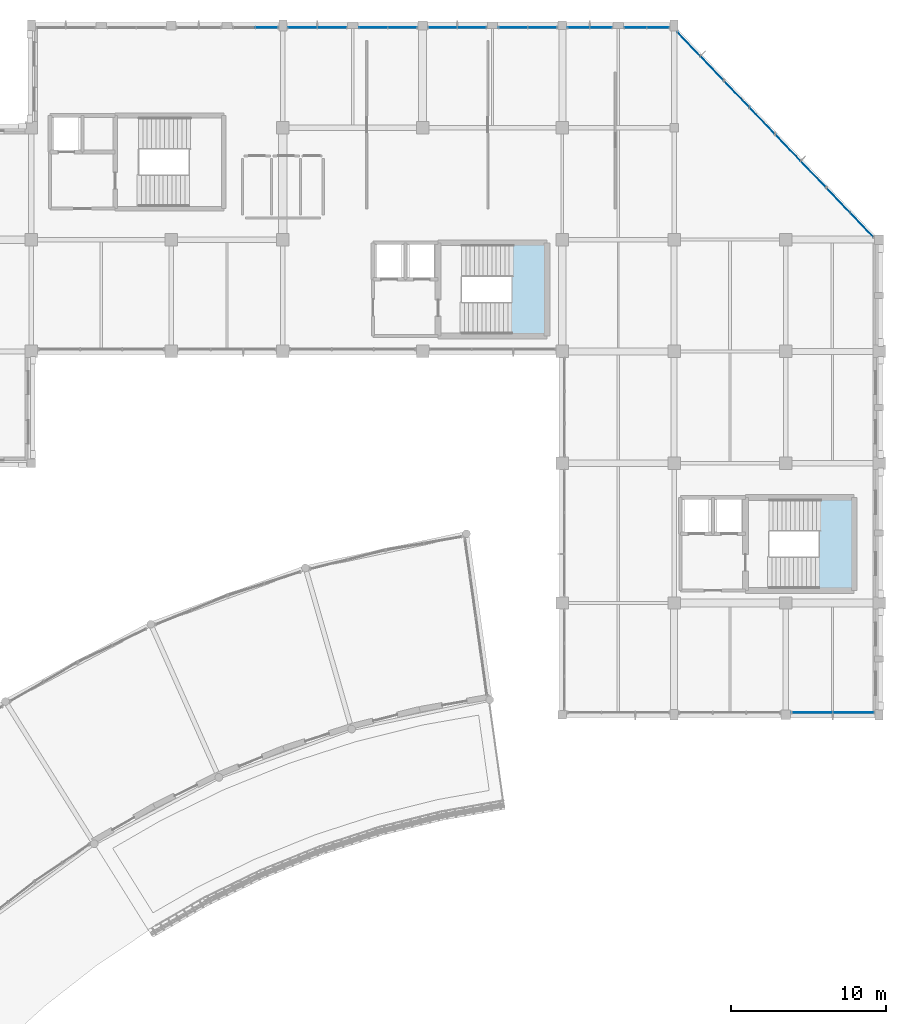
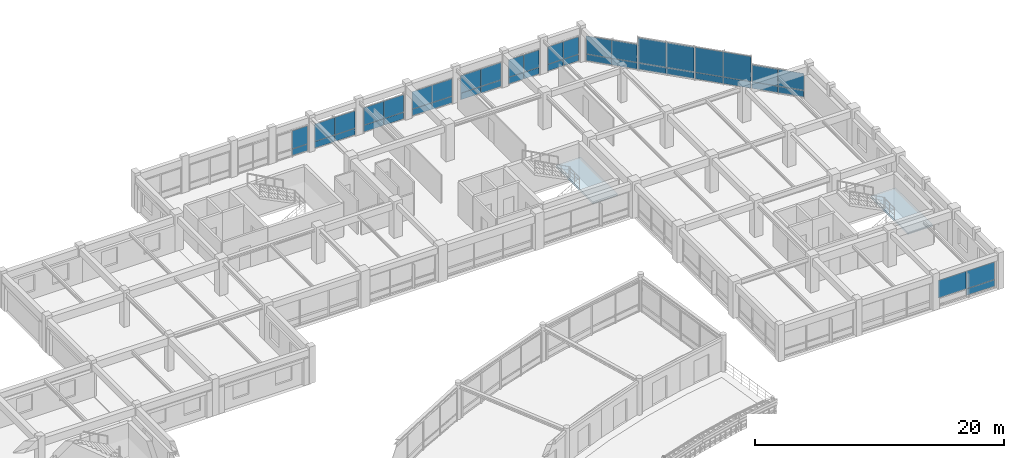
# One storey, part 48 of 74: 45 plates, 2 slabs, 14 elements without a shape of their own.
"""IFC4 building model written with IfcOpenShell, lengths in metres."""

from ifc_helpers import new_model, si_unit, direction, frame, frame_2d, origin, place, context, subcontext, project, spatial, polyline, rectangle, outline, extrude, material, layer, layer_set, type_object, element, aggregate, save


model = new_model("IFC4")

# Units and contexts
model_context = context("Model", 3, precision=1e-05, world=origin(), true_north=direction((0.0, 1.0)))
body_context = subcontext(model_context, "Body", "Model", "MODEL_VIEW")
ifc_project = project(units=[si_unit("LENGTHUNIT", "METRE"), si_unit("AREAUNIT", "SQUARE_METRE"), si_unit("VOLUMEUNIT", "CUBIC_METRE"), si_unit("PLANEANGLEUNIT", "RADIAN"), si_unit("MASSUNIT", "GRAM", prefix="KILO")], contexts=[model_context])

# Site, building, storey
site_placement = place(None, origin())
site = spatial("IfcSite", under=ifc_project, at=site_placement, CompositionType="ELEMENT")
building_placement = place(site_placement, origin())
building = spatial("IfcBuilding", under=site, at=building_placement, Name="Clarverna Civic Hall", CompositionType="ELEMENT")
storey_placement = place(building_placement, frame((0.0, 0.0, 9.60009765625)))
storey = spatial("IfcBuildingStorey", under=building, at=storey_placement, Name="L02", CompositionType="ELEMENT", Elevation=9.60009765625)

# Curtain wall, plate
ifc_material_1 = material(Name="Anodised Bronze Architectural Aluminium", Category="aluminium")
curtain_wall_type = type_object("IfcCurtainWallType", Name="CW-01", PredefinedType="USERDEFINED", material=ifc_material_1)
curtain_wall_1_placement = place(storey_placement, origin())
curtain_wall_1 = element("IfcCurtainWall", 1, at=curtain_wall_1_placement, inside=storey, type_object=curtain_wall_type, Name="CW-01-033", ObjectType="UNITISED CURTAIN WALL", PredefinedType="USERDEFINED")
ifc_material_2 = material(Name="Solar-Control Argon Low-E Double Glazing", Category="glass")
ifc_layer_1 = layer(ifc_material_2, 0.031982421875)
ifc_layer_set_1 = layer_set([ifc_layer_1], Name="Solar-Control Argon Low-E Double Glazing")
plate_type_1 = type_object("IfcPlateType", Name="CWP-01", PredefinedType="CURTAIN_PANEL", material=ifc_layer_set_1)
plate_1_placement = place(storey_placement, frame((127.8525390625, 115.860107421875, 0.764892578125), z_axis=(0.0, 0.0, 1.0), x_axis=(1.0, 0.0, 0.0)))
plate_1 = element("IfcPlate", 2, at=plate_1_placement, type_object=plate_type_1, Name="CWP-01-251", PredefinedType="CURTAIN_PANEL", context=body_context, shape_type="SweptSolid", body=[
    extrude(rectangle(XDim=1.409423828125, YDim=0.031982421875, at=frame_2d((0.70458984375, 0.0))), origin(), (0.0, 0.0, 1.0), 1.764892578125),
])

# Curtain wall, plates
curtain_wall_2_placement = place(storey_placement, origin())
curtain_wall_2 = element("IfcCurtainWall", 3, at=curtain_wall_2_placement, inside=storey, type_object=curtain_wall_type, Name="CW-01-034", ObjectType="UNITISED CURTAIN WALL", PredefinedType="USERDEFINED")
plate_2_placement = place(storey_placement, frame((129.93798828125, 115.860107421875, 0.764892578125), z_axis=(0.0, 0.0, 1.0), x_axis=(1.0, 0.0, 0.0)))
plate_2 = element("IfcPlate", 4, at=plate_2_placement, type_object=plate_type_1, Name="CWP-01-252", PredefinedType="CURTAIN_PANEL", context=body_context, shape_type="SweptSolid", body=[
    extrude(rectangle(XDim=1.859619140625, YDim=0.031982421875, at=frame_2d((0.9296875, 0.0))), origin(), (0.0, 0.0, 1.0), 1.695068359375),
])
plate_3_placement = place(storey_placement, frame((131.827392578125, 115.860107421875, 0.764892578125), z_axis=(0.0, 0.0, 1.0), x_axis=(1.0, 0.0, 0.0)))
plate_3 = element("IfcPlate", 5, at=plate_3_placement, type_object=plate_type_1, Name="CWP-01-253", PredefinedType="CURTAIN_PANEL", context=body_context, shape_type="SweptSolid", body=[
    extrude(rectangle(XDim=1.859619140625, YDim=0.031982421875, at=frame_2d((0.9296875, 0.0))), origin(), (0.0, 0.0, 1.0), 1.695068359375),
])

curtain_wall_3_placement = place(storey_placement, origin())
curtain_wall_3 = element("IfcCurtainWall", 6, at=curtain_wall_3_placement, inside=storey, type_object=curtain_wall_type, Name="CW-01-035", ObjectType="UNITISED CURTAIN WALL", PredefinedType="USERDEFINED")
plate_4_placement = place(storey_placement, frame((134.512939453125, 115.860107421875, 0.764892578125), z_axis=(0.0, 0.0, 1.0), x_axis=(1.0, 0.0, 0.0)))
plate_4 = element("IfcPlate", 7, at=plate_4_placement, type_object=plate_type_1, Name="CWP-01-254", PredefinedType="CURTAIN_PANEL", context=body_context, shape_type="SweptSolid", body=[
    extrude(rectangle(XDim=1.83447265625, YDim=0.031982421875, at=frame_2d((0.917236328125, 0.0))), origin(), (0.0, 0.0, 1.0), 1.695068359375),
])
plate_5_placement = place(storey_placement, frame((136.37744140625, 115.860107421875, 0.764892578125), z_axis=(0.0, 0.0, 1.0), x_axis=(1.0, 0.0, 0.0)))
plate_5 = element("IfcPlate", 8, at=plate_5_placement, type_object=plate_type_1, Name="CWP-01-255", PredefinedType="CURTAIN_PANEL", context=body_context, shape_type="SweptSolid", body=[
    extrude(rectangle(XDim=1.83447265625, YDim=0.031982421875, at=frame_2d((0.917236328125, 0.0))), origin(), (0.0, 0.0, 1.0), 1.695068359375),
])

curtain_wall_4_placement = place(storey_placement, origin())
curtain_wall_4 = element("IfcCurtainWall", 9, at=curtain_wall_4_placement, inside=storey, type_object=curtain_wall_type, Name="CW-01-036", ObjectType="UNITISED CURTAIN WALL", PredefinedType="USERDEFINED")
plate_6_placement = place(storey_placement, frame((138.988037109375, 115.860107421875, 0.764892578125), z_axis=(0.0, 0.0, 1.0), x_axis=(1.0, 0.0, 0.0)))
plate_6 = element("IfcPlate", 10, at=plate_6_placement, type_object=plate_type_1, Name="CWP-01-256", PredefinedType="CURTAIN_PANEL", context=body_context, shape_type="SweptSolid", body=[
    extrude(rectangle(XDim=1.83447265625, YDim=0.031982421875, at=frame_2d((0.917236328125, 0.0))), origin(), (0.0, 0.0, 1.0), 1.695068359375),
])
plate_7_placement = place(storey_placement, frame((140.8525390625, 115.860107421875, 0.764892578125), z_axis=(0.0, 0.0, 1.0), x_axis=(1.0, 0.0, 0.0)))
plate_7 = element("IfcPlate", 11, at=plate_7_placement, type_object=plate_type_1, Name="CWP-01-257", PredefinedType="CURTAIN_PANEL", context=body_context, shape_type="SweptSolid", body=[
    extrude(rectangle(XDim=1.83447265625, YDim=0.031982421875, at=frame_2d((0.917236328125, 0.0))), origin(), (0.0, 0.0, 1.0), 1.695068359375),
])

curtain_wall_5_placement = place(storey_placement, origin())
curtain_wall_5 = element("IfcCurtainWall", 12, at=curtain_wall_5_placement, inside=storey, type_object=curtain_wall_type, Name="CW-01-037", ObjectType="UNITISED CURTAIN WALL", PredefinedType="USERDEFINED")
plate_8_placement = place(storey_placement, frame((143.512939453125, 115.860107421875, 0.764892578125), z_axis=(0.0, 0.0, 1.0), x_axis=(1.0, 0.0, 0.0)))
plate_8 = element("IfcPlate", 13, at=plate_8_placement, type_object=plate_type_1, Name="CWP-01-258", PredefinedType="CURTAIN_PANEL", context=body_context, shape_type="SweptSolid", body=[
    extrude(rectangle(XDim=1.84716796875, YDim=0.031982421875, at=frame_2d((0.923583984375, 0.0))), origin(), (0.0, 0.0, 1.0), 1.695068359375),
])
plate_9_placement = place(storey_placement, frame((145.389892578125, 115.860107421875, 0.764892578125), z_axis=(0.0, 0.0, 1.0), x_axis=(1.0, 0.0, 0.0)))
plate_9 = element("IfcPlate", 14, at=plate_9_placement, type_object=plate_type_1, Name="CWP-01-259", PredefinedType="CURTAIN_PANEL", context=body_context, shape_type="SweptSolid", body=[
    extrude(rectangle(XDim=1.84716796875, YDim=0.031982421875, at=frame_2d((0.923583984375, 0.0))), origin(), (0.0, 0.0, 1.0), 1.695068359375),
])

curtain_wall_6_placement = place(storey_placement, origin())
curtain_wall_6 = element("IfcCurtainWall", 15, at=curtain_wall_6_placement, inside=storey, type_object=curtain_wall_type, Name="CW-01-038", ObjectType="UNITISED CURTAIN WALL", PredefinedType="USERDEFINED")
plate_10_placement = place(storey_placement, frame((147.962890625, 115.860107421875, 0.764892578125), z_axis=(0.0, 0.0, 1.0), x_axis=(1.0, 0.0, 0.0)))
plate_10 = element("IfcPlate", 16, at=plate_10_placement, type_object=plate_type_1, Name="CWP-01-260", PredefinedType="CURTAIN_PANEL", context=body_context, shape_type="SweptSolid", body=[
    extrude(rectangle(XDim=1.397216796875, YDim=0.031982421875, at=frame_2d((0.69873046875, 0.0))), origin(), (0.0, 0.0, 1.0), 1.695068359375),
])
plate_11_placement = place(storey_placement, frame((149.389892578125, 115.860107421875, 0.764892578125), z_axis=(0.0, 0.0, 1.0), x_axis=(1.0, 0.0, 0.0)))
plate_11 = element("IfcPlate", 17, at=plate_11_placement, type_object=plate_type_1, Name="CWP-01-261", PredefinedType="CURTAIN_PANEL", context=body_context, shape_type="SweptSolid", body=[
    extrude(rectangle(XDim=1.397216796875, YDim=0.031982421875, at=frame_2d((0.69873046875, 0.0))), origin(), (0.0, 0.0, 1.0), 1.695068359375),
])

curtain_wall_7_placement = place(storey_placement, origin())
curtain_wall_7 = element("IfcCurtainWall", 18, at=curtain_wall_7_placement, inside=storey, type_object=curtain_wall_type, Name="CW-01-039", ObjectType="UNITISED CURTAIN WALL", PredefinedType="USERDEFINED")
plate_12_placement = place(storey_placement, frame((151.613037109375, 115.860107421875, 0.764892578125), z_axis=(0.0, 0.0, 1.0), x_axis=(1.0, 0.0, 0.0)))
plate_12 = element("IfcPlate", 19, at=plate_12_placement, type_object=plate_type_1, Name="CWP-01-262", PredefinedType="CURTAIN_PANEL", context=body_context, shape_type="SweptSolid", body=[
    extrude(rectangle(XDim=1.409423828125, YDim=0.031982421875, at=frame_2d((0.70458984375, 0.0))), origin(), (0.0, 0.0, 1.0), 1.695068359375),
])
plate_13_placement = place(storey_placement, frame((153.052490234375, 115.860107421875, 0.764892578125), z_axis=(0.0, 0.0, 1.0), x_axis=(1.0, 0.0, 0.0)))
plate_13 = element("IfcPlate", 20, at=plate_13_placement, type_object=plate_type_1, Name="CWP-01-263", PredefinedType="CURTAIN_PANEL", context=body_context, shape_type="SweptSolid", body=[
    extrude(rectangle(XDim=1.409423828125, YDim=0.031982421875, at=frame_2d((0.70458984375, 0.0))), origin(), (0.0, 0.0, 1.0), 1.695068359375),
])

curtain_wall_8_placement = place(storey_placement, origin())
curtain_wall_8 = element("IfcCurtainWall", 21, at=curtain_wall_8_placement, inside=storey, type_object=curtain_wall_type, Name="CW-01-040", ObjectType="UNITISED CURTAIN WALL", PredefinedType="USERDEFINED")
plate_14_placement = place(storey_placement, frame((155.012451171875, 115.575439453125, 0.764892578125), z_axis=(0.0, 0.0, 1.0), x_axis=(0.691222645967, -0.722641857148, 0.0)))
plate_14 = element("IfcPlate", 22, at=plate_14_placement, type_object=plate_type_1, Name="CWP-01-264", PredefinedType="CURTAIN_PANEL", context=body_context, shape_type="SweptSolid", body=[
    extrude(rectangle(XDim=2.121337890625, YDim=0.031982421875, at=frame_2d((1.060546875, 0.0))), origin(), (0.0, 0.0, 1.0), 1.764892578125),
])
plate_15_placement = place(storey_placement, frame((156.49951171875, 114.020751953125, 0.764892578125), z_axis=(0.0, 0.0, 1.0), x_axis=(0.691162538188, -0.722699346758, 0.0)))
plate_15 = element("IfcPlate", 23, at=plate_15_placement, type_object=plate_type_1, Name="CWP-01-265", PredefinedType="CURTAIN_PANEL", context=body_context, shape_type="SweptSolid", body=[
    extrude(rectangle(XDim=2.12109375, YDim=0.031982421875, at=frame_2d((1.060546875, 0.0))), origin(), (0.0, 0.0, 1.0), 1.764892578125),
])

curtain_wall_9_placement = place(storey_placement, origin())
curtain_wall_9 = element("IfcCurtainWall", 24, at=curtain_wall_9_placement, inside=storey, type_object=curtain_wall_type, Name="CW-01-041", ObjectType="UNITISED CURTAIN WALL", PredefinedType="USERDEFINED")
plate_16_placement = place(storey_placement, frame((158.031982421875, 112.418701171875, 0.764892578125), z_axis=(0.0, 0.0, 1.0), x_axis=(0.691174945329, -0.722687480831, 0.0)))
plate_16 = element("IfcPlate", 25, at=plate_16_placement, type_object=plate_type_1, Name="CWP-01-266", PredefinedType="CURTAIN_PANEL", context=body_context, shape_type="SweptSolid", body=[
    extrude(rectangle(XDim=2.32421875, YDim=0.031982421875, at=frame_2d((1.162109375, 0.0))), origin(), (0.0, 0.0, 1.0), 2.445068359375),
])
plate_17_placement = place(storey_placement, frame((159.6591796875, 110.71728515625, 0.764892578125), z_axis=(0.0, 0.0, 1.0), x_axis=(0.691227416228, -0.72263729426, 0.0)))
plate_17 = element("IfcPlate", 26, at=plate_17_placement, type_object=plate_type_1, Name="CWP-01-267", PredefinedType="CURTAIN_PANEL", context=body_context, shape_type="SweptSolid", body=[
    extrude(rectangle(XDim=2.323974609375, YDim=0.031982421875, at=frame_2d((1.162109375, 0.0))), origin(), (0.0, 0.0, 1.0), 2.445068359375),
])

curtain_wall_10_placement = place(storey_placement, origin())
curtain_wall_10 = element("IfcCurtainWall", 27, at=curtain_wall_10_placement, inside=storey, type_object=curtain_wall_type, Name="CW-01-042", ObjectType="UNITISED CURTAIN WALL", PredefinedType="USERDEFINED")
plate_18_placement = place(storey_placement, frame((161.33203125, 108.968505859375, 0.764892578125), z_axis=(0.0, 0.0, 1.0), x_axis=(0.691227416228, -0.72263729426, 0.0)))
plate_18 = element("IfcPlate", 28, at=plate_18_placement, type_object=plate_type_1, Name="CWP-01-268", PredefinedType="CURTAIN_PANEL", context=body_context, shape_type="SweptSolid", body=[
    extrude(rectangle(XDim=2.323974609375, YDim=0.031982421875, at=frame_2d((1.162109375, 0.0))), origin(), (0.0, 0.0, 1.0), 2.445068359375),
])
plate_19_placement = place(storey_placement, frame((162.959228515625, 107.267333984375, 0.764892578125), z_axis=(0.0, 0.0, 1.0), x_axis=(0.691227416228, -0.72263729426, 0.0)))
plate_19 = element("IfcPlate", 29, at=plate_19_placement, type_object=plate_type_1, Name="CWP-01-269", PredefinedType="CURTAIN_PANEL", context=body_context, shape_type="SweptSolid", body=[
    extrude(rectangle(XDim=2.323974609375, YDim=0.031982421875, at=frame_2d((1.162109375, 0.0))), origin(), (0.0, 0.0, 1.0), 2.445068359375),
])

curtain_wall_11_placement = place(storey_placement, origin())
curtain_wall_11 = element("IfcCurtainWall", 30, at=curtain_wall_11_placement, inside=storey, type_object=curtain_wall_type, Name="CW-01-043", ObjectType="UNITISED CURTAIN WALL", PredefinedType="USERDEFINED")
plate_20_placement = place(storey_placement, frame((164.632080078125, 105.5185546875, 0.764892578125), z_axis=(0.0, 0.0, 1.0), x_axis=(0.691155646776, -0.722705937384, 0.0)))
plate_20 = element("IfcPlate", 31, at=plate_20_placement, type_object=plate_type_1, Name="CWP-01-270", PredefinedType="CURTAIN_PANEL", context=body_context, shape_type="SweptSolid", body=[
    extrude(rectangle(XDim=2.151123046875, YDim=0.031982421875, at=frame_2d((1.07568359375, 0.0))), origin(), (0.0, 0.0, 1.0), 1.64501953125),
])
plate_21_placement = place(storey_placement, frame((166.139892578125, 103.942138671875, 0.764892578125), z_axis=(0.0, 0.0, 1.0), x_axis=(0.691155646776, -0.722705937384, 0.0)))
plate_21 = element("IfcPlate", 32, at=plate_21_placement, type_object=plate_type_1, Name="CWP-01-271", PredefinedType="CURTAIN_PANEL", context=body_context, shape_type="SweptSolid", body=[
    extrude(rectangle(XDim=2.151123046875, YDim=0.031982421875, at=frame_2d((1.07568359375, 0.0))), origin(), (0.0, 0.0, 1.0), 1.64501953125),
])

curtain_wall_12_placement = place(storey_placement, origin())
curtain_wall_12 = element("IfcCurtainWall", 33, at=curtain_wall_12_placement, inside=storey, type_object=curtain_wall_type, Name="CW-01-044", ObjectType="UNITISED CURTAIN WALL", PredefinedType="USERDEFINED")
plate_22_placement = place(storey_placement, frame((167.662109375, 71.739990234375, 0.764892578125), z_axis=(0.0, 0.0, 1.0), x_axis=(-1.0, 0.0, 0.0)))
plate_22 = element("IfcPlate", 34, at=plate_22_placement, type_object=plate_type_1, Name="CWP-01-272", PredefinedType="CURTAIN_PANEL", context=body_context, shape_type="SweptSolid", body=[
    extrude(rectangle(XDim=2.6220703125, YDim=0.031982421875, at=frame_2d((1.31103515625, 0.0))), origin(), (0.0, 0.0, 1.0), 1.72509765625),
])
plate_23_placement = place(storey_placement, frame((165.010009765625, 71.739990234375, 0.764892578125), z_axis=(0.0, 0.0, 1.0), x_axis=(-1.0, 0.0, 0.0)))
plate_23 = element("IfcPlate", 35, at=plate_23_placement, type_object=plate_type_1, Name="CWP-01-273", PredefinedType="CURTAIN_PANEL", context=body_context, shape_type="SweptSolid", body=[
    extrude(rectangle(XDim=2.6220703125, YDim=0.031982421875, at=frame_2d((1.31103515625, 0.0))), origin(), (0.0, 0.0, 1.0), 1.72509765625),
])

# Plate
ifc_material_3 = material(Name="Insulated Anodised Bronze Spandrel Panel", Category="aluminium")
ifc_layer_2 = layer(ifc_material_3, 0.048095703125)
ifc_layer_set_2 = layer_set([ifc_layer_2], Name="Insulated Anodised Bronze Spandrel Panel")
plate_type_2 = type_object("IfcPlateType", Name="CWP-03", PredefinedType="CURTAIN_PANEL", material=ifc_layer_set_2)
plate_24_placement = place(storey_placement, frame((127.8525390625, 115.860107421875, 0.10986328125), z_axis=(0.0, 0.0, 1.0), x_axis=(1.0, 0.0, 0.0)))
plate_24 = element("IfcPlate", 36, at=plate_24_placement, type_object=plate_type_2, Name="CWP-03-253", PredefinedType="CURTAIN_PANEL", context=body_context, shape_type="SweptSolid", body=[
    extrude(rectangle(XDim=1.409423828125, YDim=0.048095703125, at=frame_2d((0.70458984375, 0.0))), origin(), (0.0, 0.0, 1.0), 0.625),
])

aggregate(curtain_wall_1, [plate_24, plate_1])

plate_25_placement = place(storey_placement, frame((129.93798828125, 115.860107421875, 0.10986328125), z_axis=(0.0, 0.0, 1.0), x_axis=(1.0, 0.0, 0.0)))
plate_25 = element("IfcPlate", 37, at=plate_25_placement, type_object=plate_type_2, Name="CWP-03-254", PredefinedType="CURTAIN_PANEL", context=body_context, shape_type="SweptSolid", body=[
    extrude(rectangle(XDim=1.859619140625, YDim=0.048095703125, at=frame_2d((0.9296875, 0.0))), origin(), (0.0, 0.0, 1.0), 0.625),
])

plate_26_placement = place(storey_placement, frame((131.827392578125, 115.860107421875, 0.10986328125), z_axis=(0.0, 0.0, 1.0), x_axis=(1.0, 0.0, 0.0)))
plate_26 = element("IfcPlate", 38, at=plate_26_placement, type_object=plate_type_2, Name="CWP-03-255", PredefinedType="CURTAIN_PANEL", context=body_context, shape_type="SweptSolid", body=[
    extrude(rectangle(XDim=1.859619140625, YDim=0.048095703125, at=frame_2d((0.9296875, 0.0))), origin(), (0.0, 0.0, 1.0), 0.625),
])

aggregate(curtain_wall_2, [plate_25, plate_2, plate_26, plate_3])

plate_27_placement = place(storey_placement, frame((134.512939453125, 115.860107421875, 0.10986328125), z_axis=(0.0, 0.0, 1.0), x_axis=(1.0, 0.0, 0.0)))
plate_27 = element("IfcPlate", 39, at=plate_27_placement, type_object=plate_type_2, Name="CWP-03-256", PredefinedType="CURTAIN_PANEL", context=body_context, shape_type="SweptSolid", body=[
    extrude(rectangle(XDim=1.83447265625, YDim=0.048095703125, at=frame_2d((0.917236328125, 0.0))), origin(), (0.0, 0.0, 1.0), 0.625),
])

plate_28_placement = place(storey_placement, frame((136.37744140625, 115.860107421875, 0.10986328125), z_axis=(0.0, 0.0, 1.0), x_axis=(1.0, 0.0, 0.0)))
plate_28 = element("IfcPlate", 40, at=plate_28_placement, type_object=plate_type_2, Name="CWP-03-257", PredefinedType="CURTAIN_PANEL", context=body_context, shape_type="SweptSolid", body=[
    extrude(rectangle(XDim=1.83447265625, YDim=0.048095703125, at=frame_2d((0.917236328125, 0.0))), origin(), (0.0, 0.0, 1.0), 0.625),
])

aggregate(curtain_wall_3, [plate_27, plate_4, plate_28, plate_5])

plate_29_placement = place(storey_placement, frame((138.988037109375, 115.860107421875, 0.10986328125), z_axis=(0.0, 0.0, 1.0), x_axis=(1.0, 0.0, 0.0)))
plate_29 = element("IfcPlate", 41, at=plate_29_placement, type_object=plate_type_2, Name="CWP-03-258", PredefinedType="CURTAIN_PANEL", context=body_context, shape_type="SweptSolid", body=[
    extrude(rectangle(XDim=1.83447265625, YDim=0.048095703125, at=frame_2d((0.917236328125, 0.0))), origin(), (0.0, 0.0, 1.0), 0.625),
])

plate_30_placement = place(storey_placement, frame((140.8525390625, 115.860107421875, 0.10986328125), z_axis=(0.0, 0.0, 1.0), x_axis=(1.0, 0.0, 0.0)))
plate_30 = element("IfcPlate", 42, at=plate_30_placement, type_object=plate_type_2, Name="CWP-03-259", PredefinedType="CURTAIN_PANEL", context=body_context, shape_type="SweptSolid", body=[
    extrude(rectangle(XDim=1.83447265625, YDim=0.048095703125, at=frame_2d((0.917236328125, 0.0))), origin(), (0.0, 0.0, 1.0), 0.625),
])

aggregate(curtain_wall_4, [plate_29, plate_6, plate_30, plate_7])

plate_31_placement = place(storey_placement, frame((143.512939453125, 115.860107421875, 0.10986328125), z_axis=(0.0, 0.0, 1.0), x_axis=(1.0, 0.0, 0.0)))
plate_31 = element("IfcPlate", 43, at=plate_31_placement, type_object=plate_type_2, Name="CWP-03-260", PredefinedType="CURTAIN_PANEL", context=body_context, shape_type="SweptSolid", body=[
    extrude(rectangle(XDim=1.84716796875, YDim=0.048095703125, at=frame_2d((0.923583984375, 0.0))), origin(), (0.0, 0.0, 1.0), 0.625),
])

plate_32_placement = place(storey_placement, frame((145.389892578125, 115.860107421875, 0.10986328125), z_axis=(0.0, 0.0, 1.0), x_axis=(1.0, 0.0, 0.0)))
plate_32 = element("IfcPlate", 44, at=plate_32_placement, type_object=plate_type_2, Name="CWP-03-261", PredefinedType="CURTAIN_PANEL", context=body_context, shape_type="SweptSolid", body=[
    extrude(rectangle(XDim=1.84716796875, YDim=0.048095703125, at=frame_2d((0.923583984375, 0.0))), origin(), (0.0, 0.0, 1.0), 0.625),
])

aggregate(curtain_wall_5, [plate_31, plate_8, plate_32, plate_9])

plate_33_placement = place(storey_placement, frame((147.962890625, 115.860107421875, 0.10986328125), z_axis=(0.0, 0.0, 1.0), x_axis=(1.0, 0.0, 0.0)))
plate_33 = element("IfcPlate", 45, at=plate_33_placement, type_object=plate_type_2, Name="CWP-03-262", PredefinedType="CURTAIN_PANEL", context=body_context, shape_type="SweptSolid", body=[
    extrude(rectangle(XDim=1.397216796875, YDim=0.048095703125, at=frame_2d((0.69873046875, 0.0))), origin(), (0.0, 0.0, 1.0), 0.625),
])

plate_34_placement = place(storey_placement, frame((149.389892578125, 115.860107421875, 0.10986328125), z_axis=(0.0, 0.0, 1.0), x_axis=(1.0, 0.0, 0.0)))
plate_34 = element("IfcPlate", 46, at=plate_34_placement, type_object=plate_type_2, Name="CWP-03-263", PredefinedType="CURTAIN_PANEL", context=body_context, shape_type="SweptSolid", body=[
    extrude(rectangle(XDim=1.397216796875, YDim=0.048095703125, at=frame_2d((0.69873046875, 0.0))), origin(), (0.0, 0.0, 1.0), 0.625),
])

aggregate(curtain_wall_6, [plate_33, plate_10, plate_34, plate_11])

plate_35_placement = place(storey_placement, frame((151.613037109375, 115.860107421875, 0.10986328125), z_axis=(0.0, 0.0, 1.0), x_axis=(1.0, 0.0, 0.0)))
plate_35 = element("IfcPlate", 47, at=plate_35_placement, type_object=plate_type_2, Name="CWP-03-264", PredefinedType="CURTAIN_PANEL", context=body_context, shape_type="SweptSolid", body=[
    extrude(rectangle(XDim=1.409423828125, YDim=0.048095703125, at=frame_2d((0.70458984375, 0.0))), origin(), (0.0, 0.0, 1.0), 0.625),
])

plate_36_placement = place(storey_placement, frame((153.052490234375, 115.860107421875, 0.10986328125), z_axis=(0.0, 0.0, 1.0), x_axis=(1.0, 0.0, 0.0)))
plate_36 = element("IfcPlate", 48, at=plate_36_placement, type_object=plate_type_2, Name="CWP-03-265", PredefinedType="CURTAIN_PANEL", context=body_context, shape_type="SweptSolid", body=[
    extrude(rectangle(XDim=1.409423828125, YDim=0.048095703125, at=frame_2d((0.70458984375, 0.0))), origin(), (0.0, 0.0, 1.0), 0.625),
])

aggregate(curtain_wall_7, [plate_35, plate_12, plate_36, plate_13])

plate_37_placement = place(storey_placement, frame((155.012451171875, 115.575439453125, 0.10986328125), z_axis=(0.0, 0.0, 1.0), x_axis=(0.691222645967, -0.722641857148, 0.0)))
plate_37 = element("IfcPlate", 49, at=plate_37_placement, type_object=plate_type_2, Name="CWP-03-266", PredefinedType="CURTAIN_PANEL", context=body_context, shape_type="SweptSolid", body=[
    extrude(rectangle(XDim=2.121337890625, YDim=0.048095703125, at=frame_2d((1.060546875, 0.0))), origin(), (0.0, 0.0, 1.0), 0.625),
])

plate_38_placement = place(storey_placement, frame((156.49951171875, 114.020751953125, 0.10986328125), z_axis=(0.0, 0.0, 1.0), x_axis=(0.691162538188, -0.722699346758, 0.0)))
plate_38 = element("IfcPlate", 50, at=plate_38_placement, type_object=plate_type_2, Name="CWP-03-267", PredefinedType="CURTAIN_PANEL", context=body_context, shape_type="SweptSolid", body=[
    extrude(rectangle(XDim=2.12109375, YDim=0.048095703125, at=frame_2d((1.060546875, 0.0))), origin(), (0.0, 0.0, 1.0), 0.625),
])

aggregate(curtain_wall_8, [plate_37, plate_14, plate_38, plate_15])

plate_39_placement = place(storey_placement, frame((158.031982421875, 112.418701171875, 0.10986328125), z_axis=(0.0, 0.0, 1.0), x_axis=(0.691174945329, -0.722687480831, 0.0)))
plate_39 = element("IfcPlate", 51, at=plate_39_placement, type_object=plate_type_2, Name="CWP-03-268", PredefinedType="CURTAIN_PANEL", context=body_context, shape_type="SweptSolid", body=[
    extrude(rectangle(XDim=2.32421875, YDim=0.048095703125, at=frame_2d((1.162109375, 0.0))), origin(), (0.0, 0.0, 1.0), 0.625),
])

plate_40_placement = place(storey_placement, frame((159.6591796875, 110.71728515625, 0.10986328125), z_axis=(0.0, 0.0, 1.0), x_axis=(0.691227416228, -0.72263729426, 0.0)))
plate_40 = element("IfcPlate", 52, at=plate_40_placement, type_object=plate_type_2, Name="CWP-03-269", PredefinedType="CURTAIN_PANEL", context=body_context, shape_type="SweptSolid", body=[
    extrude(rectangle(XDim=2.323974609375, YDim=0.048095703125, at=frame_2d((1.162109375, 0.0))), origin(), (0.0, 0.0, 1.0), 0.625),
])

aggregate(curtain_wall_9, [plate_39, plate_16, plate_40, plate_17])

plate_41_placement = place(storey_placement, frame((161.33203125, 108.968505859375, 0.10986328125), z_axis=(0.0, 0.0, 1.0), x_axis=(0.691227416228, -0.72263729426, 0.0)))
plate_41 = element("IfcPlate", 53, at=plate_41_placement, type_object=plate_type_2, Name="CWP-03-270", PredefinedType="CURTAIN_PANEL", context=body_context, shape_type="SweptSolid", body=[
    extrude(rectangle(XDim=2.323974609375, YDim=0.048095703125, at=frame_2d((1.162109375, 0.0))), origin(), (0.0, 0.0, 1.0), 0.625),
])

plate_42_placement = place(storey_placement, frame((162.959228515625, 107.267333984375, 0.10986328125), z_axis=(0.0, 0.0, 1.0), x_axis=(0.691227416228, -0.72263729426, 0.0)))
plate_42 = element("IfcPlate", 54, at=plate_42_placement, type_object=plate_type_2, Name="CWP-03-271", PredefinedType="CURTAIN_PANEL", context=body_context, shape_type="SweptSolid", body=[
    extrude(rectangle(XDim=2.323974609375, YDim=0.048095703125, at=frame_2d((1.162109375, 0.0))), origin(), (0.0, 0.0, 1.0), 0.625),
])

aggregate(curtain_wall_10, [plate_41, plate_18, plate_42, plate_19])

plate_43_placement = place(storey_placement, frame((164.632080078125, 105.5185546875, 0.10986328125), z_axis=(0.0, 0.0, 1.0), x_axis=(0.691155646776, -0.722705937384, 0.0)))
plate_43 = element("IfcPlate", 55, at=plate_43_placement, type_object=plate_type_2, Name="CWP-03-272", PredefinedType="CURTAIN_PANEL", context=body_context, shape_type="SweptSolid", body=[
    extrude(rectangle(XDim=2.151123046875, YDim=0.048095703125, at=frame_2d((1.07568359375, 0.0))), origin(), (0.0, 0.0, 1.0), 0.625),
])

plate_44_placement = place(storey_placement, frame((166.139892578125, 103.942138671875, 0.10986328125), z_axis=(0.0, 0.0, 1.0), x_axis=(0.691155646776, -0.722705937384, 0.0)))
plate_44 = element("IfcPlate", 56, at=plate_44_placement, type_object=plate_type_2, Name="CWP-03-273", PredefinedType="CURTAIN_PANEL", context=body_context, shape_type="SweptSolid", body=[
    extrude(rectangle(XDim=2.151123046875, YDim=0.048095703125, at=frame_2d((1.07568359375, 0.0))), origin(), (0.0, 0.0, 1.0), 0.625),
])

aggregate(curtain_wall_11, [plate_43, plate_20, plate_44, plate_21])

plate_45_placement = place(storey_placement, frame((167.662109375, 71.739990234375, 0.10986328125), z_axis=(0.0, 0.0, 1.0), x_axis=(-1.0, 0.0, 0.0)))
plate_45 = element("IfcPlate", 57, at=plate_45_placement, type_object=plate_type_2, Name="CWP-03-274", PredefinedType="CURTAIN_PANEL", context=body_context, shape_type="SweptSolid", body=[
    extrude(rectangle(XDim=2.6220703125, YDim=0.048095703125, at=frame_2d((1.31103515625, 0.0))), origin(), (0.0, 0.0, 1.0), 0.625),
])

aggregate(curtain_wall_12, [plate_45, plate_22, plate_23])

# Stair, slab
ifc_material_4 = material(Name="Concrete C30/37", Category="concrete")
stair_type = type_object("IfcStairType", Name="ST-H1", PredefinedType="HALF_TURN_STAIR", material=ifc_material_4)
stair_1_placement = place(storey_placement, origin())
stair_1 = element("IfcStair", 58, at=stair_1_placement, inside=storey, type_object=stair_type, Name="ST-H1:L02:0002", PredefinedType="HALF_TURN_STAIR")
ifc_layer_3 = layer(ifc_material_4, 0.199951171875)
ifc_layer_set_3 = layer_set([ifc_layer_3], Name="Concrete C30/37")
slab_type = type_object("IfcSlabType", Name="SL-LD1", PredefinedType="LANDING", material=ifc_layer_set_3)
slab_1_placement = place(storey_placement, frame((0.0, 0.0, 1.599853515625)))
slab_1 = element("IfcSlab", 59, at=slab_1_placement, type_object=slab_type, Name="SL-LD1-004", PredefinedType="LANDING", context=body_context, shape_type="SweptSolid", body=[
    extrude(outline(polyline([(144.340087890625, 96.02001953125), (146.64990234375, 96.02001953125), (146.64990234375, 101.97998046875), (144.340087890625, 101.97998046875), (144.340087890625, 96.02001953125)])), origin(), (0.0, 0.0, 1.0), 0.199951171875),
])
aggregate(stair_1, [slab_1])

stair_2_placement = place(storey_placement, origin())
stair_2 = element("IfcStair", 60, at=stair_2_placement, inside=storey, type_object=stair_type, Name="ST-H1:L02:0008", PredefinedType="HALF_TURN_STAIR")
slab_2_placement = place(storey_placement, frame((0.0, 0.0, 1.599853515625)))
slab_2 = element("IfcSlab", 61, at=slab_2_placement, type_object=slab_type, Name="SL-LD1-012", PredefinedType="LANDING", context=body_context, shape_type="SweptSolid", body=[
    extrude(outline(polyline([(164.139892578125, 79.6201171875), (166.449951171875, 79.6201171875), (166.449951171875, 85.580078125), (164.139892578125, 85.580078125), (164.139892578125, 79.6201171875)])), origin(), (0.0, 0.0, 1.0), 0.199951171875),
])
aggregate(stair_2, [slab_2])

save(model, "model.ifc")
